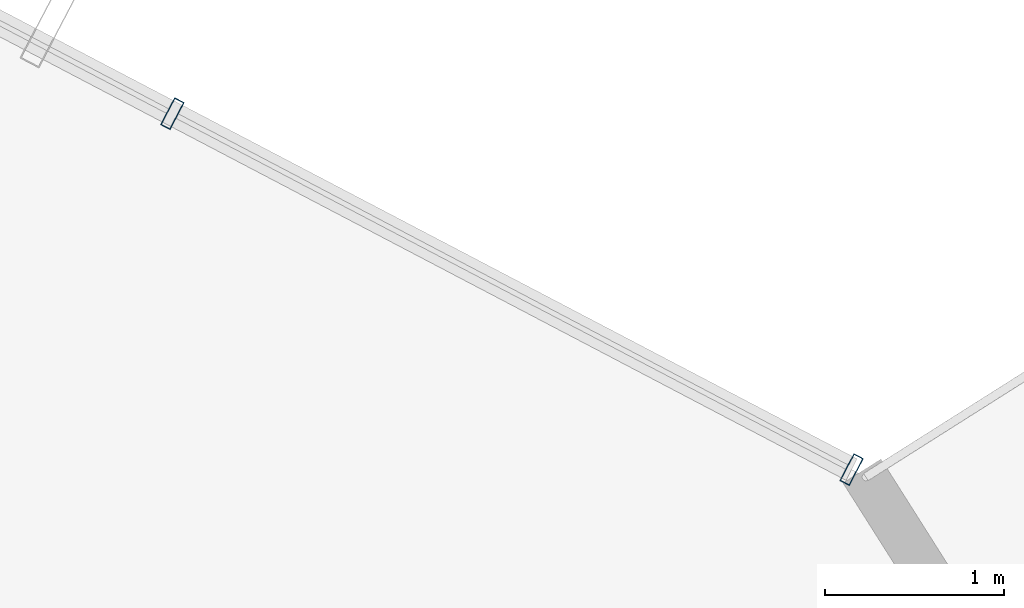
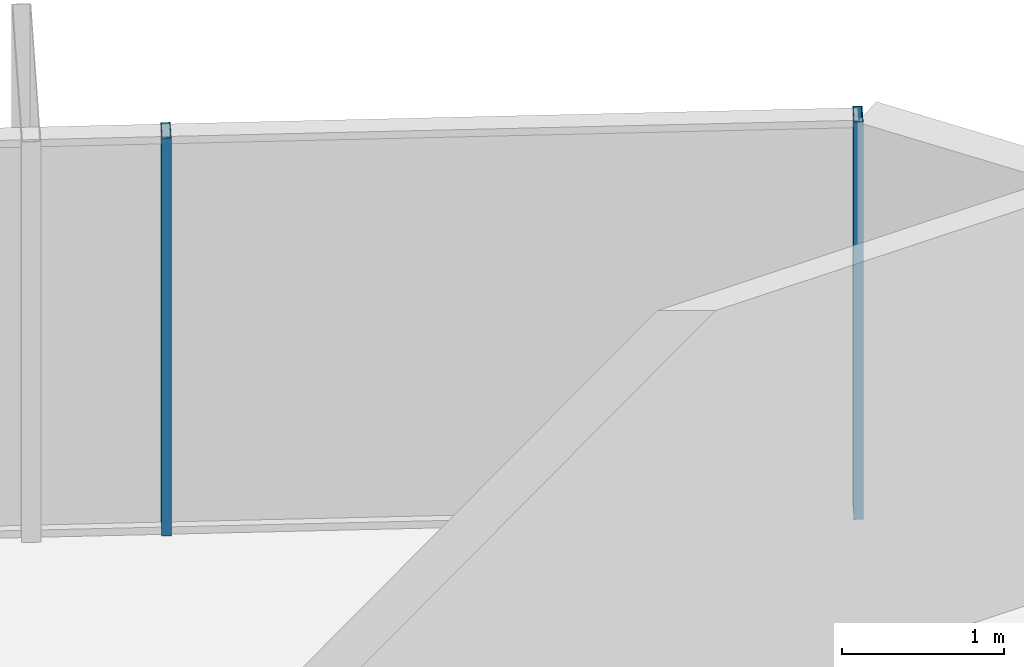
# One storey, part 25 of 32: 2 members, 1 element without a shape of its own.
"""IFC4 building model written with IfcOpenShell, lengths in metres."""

from ifc_helpers import new_model, si_unit, direction, frame, origin, origin_2d, place, context, subcontext, project, spatial, hollow_rectangle, extrude, source, transform, mapped, material, layer, layer_set, material_profile, profile_set, type_object, element, aggregate, save


model = new_model("IFC4")

# Units and contexts
model_context = context("Model", 3, precision=1e-05, world=origin(), true_north=direction((0.0, 1.0)))
body_context = subcontext(model_context, "Body", "Model", "MODEL_VIEW")
ifc_project = project(units=[si_unit("LENGTHUNIT", "METRE"), si_unit("AREAUNIT", "SQUARE_METRE"), si_unit("VOLUMEUNIT", "CUBIC_METRE"), si_unit("PLANEANGLEUNIT", "RADIAN"), si_unit("MASSUNIT", "GRAM", prefix="KILO")], contexts=[model_context])

# Site, building, storey
site_placement = place(None, origin())
site = spatial("IfcSite", under=ifc_project, at=site_placement, CompositionType="ELEMENT")
building_placement = place(site_placement, origin())
building = spatial("IfcBuilding", under=site, at=building_placement, Name="Veraguas Prism Commons", CompositionType="ELEMENT")
storey_placement = place(building_placement, frame((0.0, 0.0, 136.0)))
storey = spatial("IfcBuildingStorey", under=building, at=storey_placement, Name="L38", CompositionType="ELEMENT", Elevation=136.0)

# Curtain wall, members
ifc_material = material(Name="Anodised aluminium EN AW-6063 T6", Category="aluminium")
ifc_layer = layer(ifc_material, 0.169921875, Name="Unitised Flush Curtain Wall Zone 2", Category="aluminium")
ifc_layer_set = layer_set([ifc_layer], Name="Anodised aluminium EN AW-6063 T6")
curtain_wall_type = type_object("IfcCurtainWallType", Name="Unitised Flush Curtain Wall Zone 2", PredefinedType="NOTDEFINED", material=ifc_layer_set)
curtain_wall_placement = place(storey_placement, origin())
curtain_wall = element("IfcCurtainWall", 1, at=curtain_wall_placement, inside=storey, type_object=curtain_wall_type, Name="Tower Facade Curtain Wall L38-F1", PredefinedType="NOTDEFINED")
ifc_material_profile = material_profile(ifc_material, hollow_rectangle(XDim=0.06005859375, YDim=0.169921875, WallThickness=0.00390625, at=origin_2d()), Name="AL60X170X4")
ifc_profile_set = profile_set([ifc_material_profile], Name="Anodised aluminium EN AW-6063 T6")
member_type = type_object("IfcMemberType", Name="Curtain Wall Mullion Lower AL 60x170x4", PredefinedType="MULLION", material=ifc_profile_set)
shared_shape = source(origin(), body_context, "Body", "SweptSolid", [
    extrude(hollow_rectangle(XDim=0.06005859375, YDim=0.169921875, WallThickness=0.00390625, at=origin_2d()), origin(), (0.0, 0.0, 1.0), 3.0),
])
member_1_placement = place(storey_placement, frame((40.5107421875, 37.00390625, 0.0), z_axis=(0.0, 0.0, 1.0), x_axis=(-0.885721982014, 0.464216081773, 0.0)))
member_1 = element("IfcMember", 2, at=member_1_placement, type_object=member_type, Name="CW-Z2 Mullion 1", PredefinedType="MULLION", context=body_context, shape_type="MappedRepresentation", body=[
    mapped(shared_shape, transform((0.0, 0.0, 0.0), scale=1.0)),
])
member_2_placement = place(storey_placement, frame((36.72119140625, 38.990234375, 0.0), z_axis=(0.0, 0.0, 1.0), x_axis=(-0.885721982014, 0.464216081773, 0.0)))
member_2 = element("IfcMember", 3, at=member_2_placement, type_object=member_type, Name="CW-Z2 Mullion 2", PredefinedType="MULLION", context=body_context, shape_type="MappedRepresentation", body=[
    mapped(shared_shape, transform((0.0, 0.0, 0.0), scale=1.0)),
])
aggregate(curtain_wall, [member_1, member_2])

save(model, "model.ifc")
